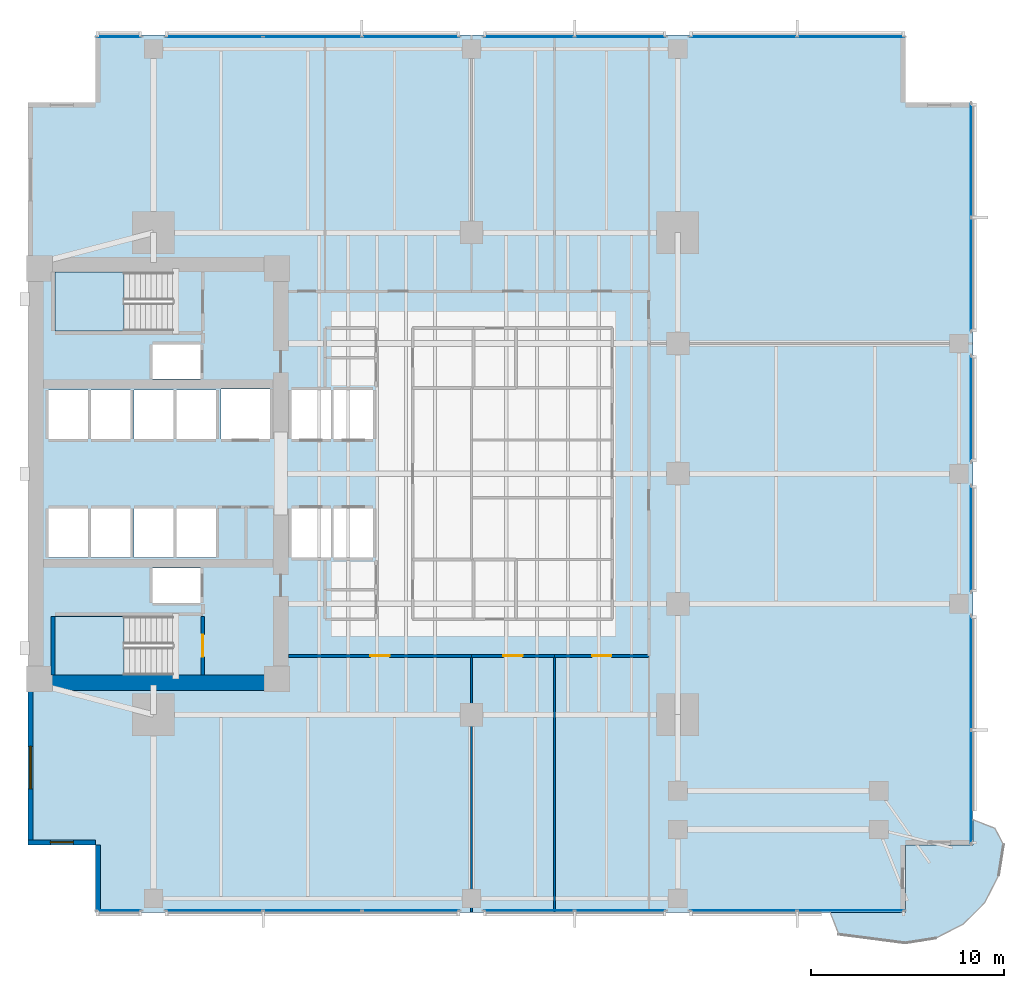
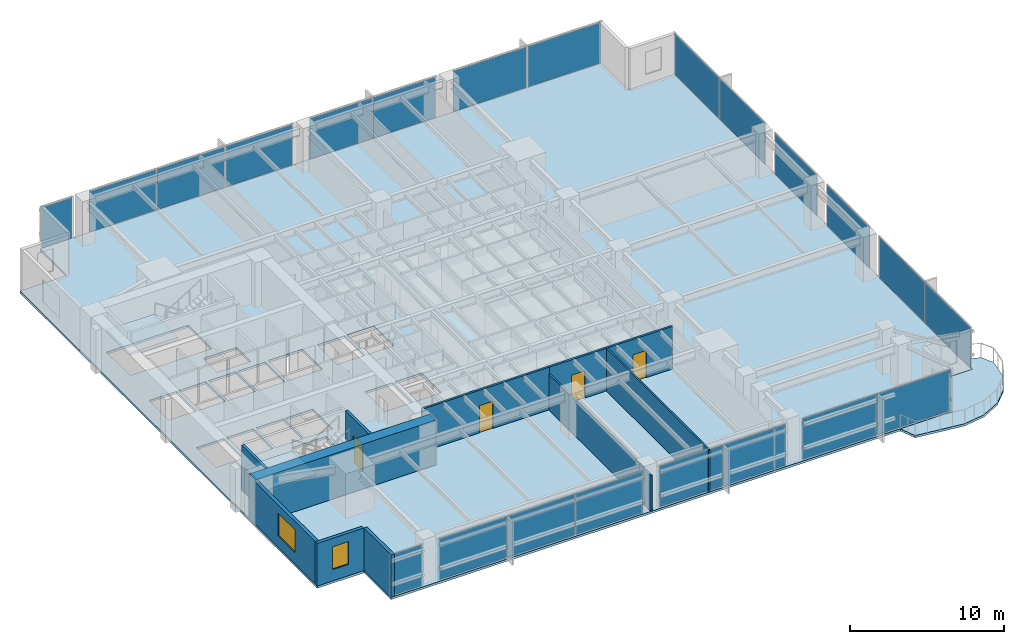
# One storey, part 7 of 15: 22 plates, 11 walls, 4 doors, 4 slabs, 2 windows, 6 openings, 14 elements without a shape of their own.
"""IFC4 building model written with IfcOpenShell, lengths in metres."""

from ifc_helpers import new_model, si_unit, direction, frame, frame_2d, origin, origin_2d, place, context, subcontext, project, spatial, polyline, rectangle, outline, extrude, material, layer, layer_set, type_object, element, fill, aggregate, save


model = new_model("IFC4")

# Units and contexts
model_context = context("Model", 3, precision=1e-05, world=origin(), true_north=direction((0.0, 1.0)))
body_context = subcontext(model_context, "Body", "Model", "MODEL_VIEW")
ifc_project = project(units=[si_unit("LENGTHUNIT", "METRE"), si_unit("AREAUNIT", "SQUARE_METRE"), si_unit("VOLUMEUNIT", "CUBIC_METRE"), si_unit("PLANEANGLEUNIT", "RADIAN"), si_unit("MASSUNIT", "GRAM", prefix="KILO")], contexts=[model_context])

# Site, building, storey
site_placement = place(None, origin())
site = spatial("IfcSite", under=ifc_project, at=site_placement, CompositionType="ELEMENT")
building_placement = place(site_placement, origin())
building = spatial("IfcBuilding", under=site, at=building_placement, Name="Kinhvarn Gate Tower", CompositionType="ELEMENT")
storey_placement = place(building_placement, frame((0.0, 0.0, 71.75)))
storey = spatial("IfcBuildingStorey", under=building, at=storey_placement, Name="L18", CompositionType="ELEMENT", Elevation=71.75)

# Curtain wall, plate
ifc_material_1 = material(Name="Anodised aluminium AW-6063", Category="aluminium")
ifc_layer_1 = layer(ifc_material_1, 0.179931640625)
ifc_layer_set_1 = layer_set([ifc_layer_1], Name="Anodised aluminium AW-6063")
curtain_wall_type = type_object("IfcCurtainWallType", Name="CW-SYS-2", PredefinedType="NOTDEFINED", material=ifc_layer_set_1)
curtain_wall_1_placement = place(storey_placement, origin())
curtain_wall_1 = element("IfcCurtainWall", 1, at=curtain_wall_1_placement, inside=storey, type_object=curtain_wall_type, Name="Curtain Wall CW2 (L18)", PredefinedType="NOTDEFINED")
ifc_material_2 = material(Name="Clear low-e double glazing", Category="glass")
ifc_layer_2 = layer(ifc_material_2, 0.031982421875)
ifc_layer_set_2 = layer_set([ifc_layer_2], Name="Clear low-e double glazing")
plate_type = type_object("IfcPlateType", Name="CW-PNL-VIS", PredefinedType="CURTAIN_PANEL", material=ifc_layer_set_2)
plate_1_placement = place(storey_placement, frame((9.2099609375, 2.590087890625, 0.070068359375), z_axis=(0.0, 0.0, 1.0), x_axis=(1.0, 0.0, 0.0)))
plate_1 = element("IfcPlate", 2, at=plate_1_placement, type_object=plate_type, Name="CW2 panel 1.1", PredefinedType="CURTAIN_PANEL", context=body_context, shape_type="SweptSolid", body=[
    extrude(rectangle(XDim=2.280029296875, YDim=0.031982421875, at=origin_2d()), origin(), (0.0, 0.0, 1.0), 3.22998046875),
])
aggregate(curtain_wall_1, [plate_1])

# Curtain wall, plates
curtain_wall_2_placement = place(storey_placement, origin())
curtain_wall_2 = element("IfcCurtainWall", 3, at=curtain_wall_2_placement, inside=storey, type_object=curtain_wall_type, Name="Curtain Wall CW2 (L18)", PredefinedType="NOTDEFINED")
plate_2_placement = place(storey_placement, frame((14.154052734375, 2.590087890625, 0.070068359375), z_axis=(0.0, 0.0, 1.0), x_axis=(1.0, 0.0, 0.0)))
plate_2 = element("IfcPlate", 4, at=plate_2_placement, type_object=plate_type, Name="CW2 panel 1.1", PredefinedType="CURTAIN_PANEL", context=body_context, shape_type="SweptSolid", body=[
    extrude(rectangle(XDim=5.00830078125, YDim=0.031982421875, at=origin_2d()), origin(), (0.0, 0.0, 1.0), 3.22998046875),
])
plate_3_placement = place(storey_placement, frame((19.25, 2.590087890625, 0.070068359375), z_axis=(0.0, 0.0, 1.0), x_axis=(1.0, 0.0, 0.0)))
plate_3 = element("IfcPlate", 5, at=plate_3_placement, type_object=plate_type, Name="CW2 panel 2.1", PredefinedType="CURTAIN_PANEL", context=body_context, shape_type="SweptSolid", body=[
    extrude(rectangle(XDim=5.043212890625, YDim=0.031982421875, at=origin_2d()), origin(), (0.0, 0.0, 1.0), 3.22998046875),
])
plate_4_placement = place(storey_placement, frame((24.345947265625, 2.590087890625, 0.070068359375), z_axis=(0.0, 0.0, 1.0), x_axis=(1.0, 0.0, 0.0)))
plate_4 = element("IfcPlate", 6, at=plate_4_placement, type_object=plate_type, Name="CW2 panel 3.1", PredefinedType="CURTAIN_PANEL", context=body_context, shape_type="SweptSolid", body=[
    extrude(rectangle(XDim=5.00830078125, YDim=0.031982421875, at=origin_2d()), origin(), (0.0, 0.0, 1.0), 3.22998046875),
])
aggregate(curtain_wall_2, [plate_2, plate_3, plate_4])

curtain_wall_3_placement = place(storey_placement, origin())
curtain_wall_3 = element("IfcCurtainWall", 7, at=curtain_wall_3_placement, inside=storey, type_object=curtain_wall_type, Name="Curtain Wall CW2 (L18)", PredefinedType="NOTDEFINED")
plate_5_placement = place(storey_placement, frame((30.482421875, 2.590087890625, 0.070068359375), z_axis=(0.0, 0.0, 1.0), x_axis=(1.0, 0.0, 0.0)))
plate_5 = element("IfcPlate", 8, at=plate_5_placement, type_object=plate_type, Name="CW2 panel 1.1", PredefinedType="CURTAIN_PANEL", context=body_context, shape_type="SweptSolid", body=[
    extrude(rectangle(XDim=4.6650390625, YDim=0.031982421875, at=origin_2d()), origin(), (0.0, 0.0, 1.0), 3.22998046875),
])
plate_6_placement = place(storey_placement, frame((35.217529296875, 2.590087890625, 0.070068359375), z_axis=(0.0, 0.0, 1.0), x_axis=(1.0, 0.0, 0.0)))
plate_6 = element("IfcPlate", 9, at=plate_6_placement, type_object=plate_type, Name="CW2 panel 2.1", PredefinedType="CURTAIN_PANEL", context=body_context, shape_type="SweptSolid", body=[
    extrude(rectangle(XDim=4.6650390625, YDim=0.031982421875, at=origin_2d()), origin(), (0.0, 0.0, 1.0), 3.22998046875),
])
aggregate(curtain_wall_3, [plate_5, plate_6])

curtain_wall_4_placement = place(storey_placement, origin())
curtain_wall_4 = element("IfcCurtainWall", 10, at=curtain_wall_4_placement, inside=storey, type_object=curtain_wall_type, Name="Curtain Wall CW2 (L18)", PredefinedType="NOTDEFINED")
plate_7_placement = place(storey_placement, frame((41.6025390625, 2.590087890625, 0.070068359375), z_axis=(0.0, 0.0, 1.0), x_axis=(1.0, 0.0, 0.0)))
plate_7 = element("IfcPlate", 11, at=plate_7_placement, type_object=plate_type, Name="CW2 panel 1.1", PredefinedType="CURTAIN_PANEL", context=body_context, shape_type="SweptSolid", body=[
    extrude(rectangle(XDim=5.5048828125, YDim=0.031982421875, at=origin_2d()), origin(), (0.0, 0.0, 1.0), 3.22998046875),
])
plate_8_placement = place(storey_placement, frame((47.177490234375, 2.590087890625, 0.070068359375), z_axis=(0.0, 0.0, 1.0), x_axis=(1.0, 0.0, 0.0)))
plate_8 = element("IfcPlate", 12, at=plate_8_placement, type_object=plate_type, Name="CW2 panel 2.1", PredefinedType="CURTAIN_PANEL", context=body_context, shape_type="SweptSolid", body=[
    extrude(rectangle(XDim=5.5048828125, YDim=0.031982421875, at=origin_2d()), origin(), (0.0, 0.0, 1.0), 3.22998046875),
])
aggregate(curtain_wall_4, [plate_7, plate_8])

curtain_wall_5_placement = place(storey_placement, origin())
curtain_wall_5 = element("IfcCurtainWall", 13, at=curtain_wall_5_placement, inside=storey, type_object=curtain_wall_type, Name="Curtain Wall CW2 (L18)", PredefinedType="NOTDEFINED")
plate_9_placement = place(storey_placement, frame((47.177490234375, 47.909912109375, 0.070068359375), z_axis=(0.0, 0.0, 1.0), x_axis=(-1.0, 0.0, 0.0)))
plate_9 = element("IfcPlate", 14, at=plate_9_placement, type_object=plate_type, Name="CW2 panel 1.1", PredefinedType="CURTAIN_PANEL", context=body_context, shape_type="SweptSolid", body=[
    extrude(rectangle(XDim=5.5048828125, YDim=0.031982421875, at=origin_2d()), origin(), (0.0, 0.0, 1.0), 3.22998046875),
])
plate_10_placement = place(storey_placement, frame((41.6025390625, 47.909912109375, 0.070068359375), z_axis=(0.0, 0.0, 1.0), x_axis=(-1.0, 0.0, 0.0)))
plate_10 = element("IfcPlate", 15, at=plate_10_placement, type_object=plate_type, Name="CW2 panel 2.1", PredefinedType="CURTAIN_PANEL", context=body_context, shape_type="SweptSolid", body=[
    extrude(rectangle(XDim=5.5048828125, YDim=0.031982421875, at=origin_2d()), origin(), (0.0, 0.0, 1.0), 3.22998046875),
])
aggregate(curtain_wall_5, [plate_9, plate_10])

curtain_wall_6_placement = place(storey_placement, origin())
curtain_wall_6 = element("IfcCurtainWall", 16, at=curtain_wall_6_placement, inside=storey, type_object=curtain_wall_type, Name="Curtain Wall CW2 (L18)", PredefinedType="NOTDEFINED")
plate_11_placement = place(storey_placement, frame((35.217529296875, 47.909912109375, 0.070068359375), z_axis=(0.0, 0.0, 1.0), x_axis=(-1.0, 0.0, 0.0)))
plate_11 = element("IfcPlate", 17, at=plate_11_placement, type_object=plate_type, Name="CW2 panel 1.1", PredefinedType="CURTAIN_PANEL", context=body_context, shape_type="SweptSolid", body=[
    extrude(rectangle(XDim=4.6650390625, YDim=0.031982421875, at=origin_2d()), origin(), (0.0, 0.0, 1.0), 3.22998046875),
])
plate_12_placement = place(storey_placement, frame((30.482421875, 47.909912109375, 0.070068359375), z_axis=(0.0, 0.0, 1.0), x_axis=(-1.0, 0.0, 0.0)))
plate_12 = element("IfcPlate", 18, at=plate_12_placement, type_object=plate_type, Name="CW2 panel 2.1", PredefinedType="CURTAIN_PANEL", context=body_context, shape_type="SweptSolid", body=[
    extrude(rectangle(XDim=4.6650390625, YDim=0.031982421875, at=origin_2d()), origin(), (0.0, 0.0, 1.0), 3.22998046875),
])
aggregate(curtain_wall_6, [plate_11, plate_12])

curtain_wall_7_placement = place(storey_placement, origin())
curtain_wall_7 = element("IfcCurtainWall", 19, at=curtain_wall_7_placement, inside=storey, type_object=curtain_wall_type, Name="Curtain Wall CW2 (L18)", PredefinedType="NOTDEFINED")
plate_13_placement = place(storey_placement, frame((24.345947265625, 47.909912109375, 0.070068359375), z_axis=(0.0, 0.0, 1.0), x_axis=(-1.0, 0.0, 0.0)))
plate_13 = element("IfcPlate", 20, at=plate_13_placement, type_object=plate_type, Name="CW2 panel 1.1", PredefinedType="CURTAIN_PANEL", context=body_context, shape_type="SweptSolid", body=[
    extrude(rectangle(XDim=5.00830078125, YDim=0.031982421875, at=origin_2d()), origin(), (0.0, 0.0, 1.0), 3.22998046875),
])
plate_14_placement = place(storey_placement, frame((19.25, 47.909912109375, 0.070068359375), z_axis=(0.0, 0.0, 1.0), x_axis=(-1.0, 0.0, 0.0)))
plate_14 = element("IfcPlate", 21, at=plate_14_placement, type_object=plate_type, Name="CW2 panel 2.1", PredefinedType="CURTAIN_PANEL", context=body_context, shape_type="SweptSolid", body=[
    extrude(rectangle(XDim=5.043212890625, YDim=0.031982421875, at=origin_2d()), origin(), (0.0, 0.0, 1.0), 3.22998046875),
])
plate_15_placement = place(storey_placement, frame((14.154052734375, 47.909912109375, 0.070068359375), z_axis=(0.0, 0.0, 1.0), x_axis=(-1.0, 0.0, 0.0)))
plate_15 = element("IfcPlate", 22, at=plate_15_placement, type_object=plate_type, Name="CW2 panel 3.1", PredefinedType="CURTAIN_PANEL", context=body_context, shape_type="SweptSolid", body=[
    extrude(rectangle(XDim=5.00830078125, YDim=0.031982421875, at=origin_2d()), origin(), (0.0, 0.0, 1.0), 3.22998046875),
])
aggregate(curtain_wall_7, [plate_13, plate_14, plate_15])

# Curtain wall, plate
curtain_wall_8_placement = place(storey_placement, origin())
curtain_wall_8 = element("IfcCurtainWall", 23, at=curtain_wall_8_placement, inside=storey, type_object=curtain_wall_type, Name="Curtain Wall CW2 (L18)", PredefinedType="NOTDEFINED")
plate_16_placement = place(storey_placement, frame((9.2099609375, 47.909912109375, 0.070068359375), z_axis=(0.0, 0.0, 1.0), x_axis=(-1.0, 0.0, 0.0)))
plate_16 = element("IfcPlate", 24, at=plate_16_placement, type_object=plate_type, Name="CW2 panel 1.1", PredefinedType="CURTAIN_PANEL", context=body_context, shape_type="SweptSolid", body=[
    extrude(rectangle(XDim=2.280029296875, YDim=0.031982421875, at=origin_2d()), origin(), (0.0, 0.0, 1.0), 3.22998046875),
])
aggregate(curtain_wall_8, [plate_16])

# Curtain wall, plates
curtain_wall_9_placement = place(storey_placement, origin())
curtain_wall_9 = element("IfcCurtainWall", 25, at=curtain_wall_9_placement, inside=storey, type_object=curtain_wall_type, Name="Curtain Wall CW2 (L18)", PredefinedType="NOTDEFINED")
plate_17_placement = place(storey_placement, frame((53.409912109375, 8.99755859375, 0.070068359375), z_axis=(0.0, 0.0, 1.0), x_axis=(0.0, 1.0, 0.0)))
plate_17 = element("IfcPlate", 26, at=plate_17_placement, type_object=plate_type, Name="CW2 panel 1.1", PredefinedType="CURTAIN_PANEL", context=body_context, shape_type="SweptSolid", body=[
    extrude(rectangle(XDim=5.85498046875, YDim=0.031982421875, at=origin_2d()), origin(), (0.0, 0.0, 1.0), 3.22998046875),
])
plate_18_placement = place(storey_placement, frame((53.409912109375, 14.922607421875, 0.070068359375), z_axis=(0.0, 0.0, 1.0), x_axis=(0.0, 1.0, 0.0)))
plate_18 = element("IfcPlate", 27, at=plate_18_placement, type_object=plate_type, Name="CW2 panel 2.1", PredefinedType="CURTAIN_PANEL", context=body_context, shape_type="SweptSolid", body=[
    extrude(rectangle(XDim=5.85498046875, YDim=0.031982421875, at=origin_2d()), origin(), (0.0, 0.0, 1.0), 3.22998046875),
])
aggregate(curtain_wall_9, [plate_17, plate_18])

# Curtain wall, plate
curtain_wall_10_placement = place(storey_placement, origin())
curtain_wall_10 = element("IfcCurtainWall", 28, at=curtain_wall_10_placement, inside=storey, type_object=curtain_wall_type, Name="Curtain Wall CW2 (L18)", PredefinedType="NOTDEFINED")
plate_19_placement = place(storey_placement, frame((53.409912109375, 21.875, 0.070068359375), z_axis=(0.0, 0.0, 1.0), x_axis=(0.0, 1.0, 0.0)))
plate_19 = element("IfcPlate", 29, at=plate_19_placement, type_object=plate_type, Name="CW2 panel 1.1", PredefinedType="CURTAIN_PANEL", context=body_context, shape_type="SweptSolid", body=[
    extrude(rectangle(XDim=5.449951171875, YDim=0.031982421875, at=origin_2d()), origin(), (0.0, 0.0, 1.0), 3.22998046875),
])
aggregate(curtain_wall_10, [plate_19])

curtain_wall_11_placement = place(storey_placement, origin())
curtain_wall_11 = element("IfcCurtainWall", 30, at=curtain_wall_11_placement, inside=storey, type_object=curtain_wall_type, Name="Curtain Wall CW2 (L18)", PredefinedType="NOTDEFINED")
plate_20_placement = place(storey_placement, frame((53.409912109375, 28.625, 0.070068359375), z_axis=(0.0, 0.0, 1.0), x_axis=(0.0, 1.0, 0.0)))
plate_20 = element("IfcPlate", 31, at=plate_20_placement, type_object=plate_type, Name="CW2 panel 1.1", PredefinedType="CURTAIN_PANEL", context=body_context, shape_type="SweptSolid", body=[
    extrude(rectangle(XDim=5.449951171875, YDim=0.031982421875, at=origin_2d()), origin(), (0.0, 0.0, 1.0), 3.22998046875),
])
aggregate(curtain_wall_11, [plate_20])

# Curtain wall, plates
curtain_wall_12_placement = place(storey_placement, origin())
curtain_wall_12 = element("IfcCurtainWall", 32, at=curtain_wall_12_placement, inside=storey, type_object=curtain_wall_type, Name="Curtain Wall CW2 (L18)", PredefinedType="NOTDEFINED")
plate_21_placement = place(storey_placement, frame((53.409912109375, 35.577392578125, 0.070068359375), z_axis=(0.0, 0.0, 1.0), x_axis=(0.0, 1.0, 0.0)))
plate_21 = element("IfcPlate", 33, at=plate_21_placement, type_object=plate_type, Name="CW2 panel 1.1", PredefinedType="CURTAIN_PANEL", context=body_context, shape_type="SweptSolid", body=[
    extrude(rectangle(XDim=5.85498046875, YDim=0.031982421875, at=origin_2d()), origin(), (0.0, 0.0, 1.0), 3.22998046875),
])
plate_22_placement = place(storey_placement, frame((53.409912109375, 41.50244140625, 0.070068359375), z_axis=(0.0, 0.0, 1.0), x_axis=(0.0, 1.0, 0.0)))
plate_22 = element("IfcPlate", 34, at=plate_22_placement, type_object=plate_type, Name="CW2 panel 2.1", PredefinedType="CURTAIN_PANEL", context=body_context, shape_type="SweptSolid", body=[
    extrude(rectangle(XDim=5.85498046875, YDim=0.031982421875, at=origin_2d()), origin(), (0.0, 0.0, 1.0), 3.22998046875),
])
aggregate(curtain_wall_12, [plate_21, plate_22])

# Slabs
ifc_material_3 = material(Name="Precast white architectural concrete C40/50", Category="concrete")
ifc_layer_3 = layer(ifc_material_3, 0.179931640625)
ifc_layer_set_3 = layer_set([ifc_layer_3], Name="Precast white architectural concrete C40/50")
slab_type_1 = type_object("IfcSlabType", Name="SLB-BAL-180", PredefinedType="FLOOR", material=ifc_layer_set_3)
slab_1_placement = place(storey_placement, frame((0.0, 0.0, -0.179931640625)))
element("IfcSlab", 35, at=slab_1_placement, inside=storey, type_object=slab_type_1, Name="S-Carve Curved Terrace Balcony Slab L18 (SE)", PredefinedType="FLOOR", context=body_context, shape_type="SweptSolid", body=[
    extrude(outline(polyline([(46.09912109375, 2.5), (46.549072265625, 1.353759765625), (50.0, 0.907958984375), (51.573486328125, 1.1572265625), (52.992919921875, 1.880615234375), (54.119384765625, 3.007080078125), (54.8427734375, 4.426513671875), (55.092041015625, 6.0), (54.646240234375, 6.85595703125), (53.5, 7.305908203125), (53.5, 6.0), (50.0, 6.0), (50.0, 2.5), (46.09912109375, 2.5)])), origin(), (0.0, 0.0, 1.0), 0.179931640625),
])
ifc_material_4 = material(Name="Concrete C40/50", Category="concrete")
ifc_layer_4 = layer(ifc_material_4, 0.179931640625)
ifc_layer_set_4 = layer_set([ifc_layer_4], Name="Concrete C40/50")
slab_type_2 = type_object("IfcSlabType", Name="SLB-FLR-180", PredefinedType="FLOOR", material=ifc_layer_set_4)
slab_2_placement = place(storey_placement, frame((0.0, 0.0, -0.179931640625)))
element("IfcSlab", 36, at=slab_2_placement, inside=storey, type_object=slab_type_2, Name="Suspended Floor Slab L18", PredefinedType="FLOOR", context=body_context, shape_type="SweptSolid", body=[
    extrude(outline(polyline([(8.0, 2.5), (50.0, 2.5), (50.0, 6.0), (53.5, 6.0), (53.5, 44.5), (50.0, 44.5), (50.0, 48.0), (8.0, 48.0), (8.0, 44.5), (4.5, 44.5), (4.5, 6.0), (8.0, 6.0), (8.0, 2.5)]), holes=[polyline([(5.89990234375, 14.800048828125), (12.0, 14.800048828125), (12.0, 17.85009765625), (5.89990234375, 17.85009765625), (5.89990234375, 14.800048828125)]), polyline([(5.89990234375, 32.64990234375), (12.0, 32.64990234375), (12.0, 35.699951171875), (5.89990234375, 35.699951171875), (5.89990234375, 32.64990234375)]), polyline([(18.14990234375, 20.89990234375), (20.199951171875, 20.89990234375), (20.199951171875, 23.449951171875), (18.14990234375, 23.449951171875), (18.14990234375, 20.89990234375)]), polyline([(20.35009765625, 20.89990234375), (22.39990234375, 20.89990234375), (22.39990234375, 23.449951171875), (20.35009765625, 23.449951171875), (20.35009765625, 20.89990234375)]), polyline([(18.14990234375, 27.050048828125), (20.199951171875, 27.050048828125), (20.199951171875, 29.60009765625), (18.14990234375, 29.60009765625), (18.14990234375, 27.050048828125)]), polyline([(20.35009765625, 27.050048828125), (22.39990234375, 27.050048828125), (22.39990234375, 29.60009765625), (20.35009765625, 29.60009765625), (20.35009765625, 27.050048828125)]), polyline([(5.550048828125, 20.89990234375), (7.60009765625, 20.89990234375), (7.60009765625, 23.449951171875), (5.550048828125, 23.449951171875), (5.550048828125, 20.89990234375)]), polyline([(7.75, 20.89990234375), (9.800048828125, 20.89990234375), (9.800048828125, 23.449951171875), (7.75, 23.449951171875), (7.75, 20.89990234375)]), polyline([(5.550048828125, 27.050048828125), (7.60009765625, 27.050048828125), (7.60009765625, 29.60009765625), (5.550048828125, 29.60009765625), (5.550048828125, 27.050048828125)]), polyline([(7.75, 27.050048828125), (9.800048828125, 27.050048828125), (9.800048828125, 29.60009765625), (7.75, 29.60009765625), (7.75, 27.050048828125)]), polyline([(10.0, 20.89990234375), (12.050048828125, 20.89990234375), (12.050048828125, 23.449951171875), (10.0, 23.449951171875), (10.0, 20.89990234375)]), polyline([(12.199951171875, 20.89990234375), (14.25, 20.89990234375), (14.25, 23.449951171875), (12.199951171875, 23.449951171875), (12.199951171875, 20.89990234375)]), polyline([(10.0, 27.050048828125), (12.050048828125, 27.050048828125), (12.050048828125, 29.60009765625), (10.0, 29.60009765625), (10.0, 27.050048828125)]), polyline([(12.199951171875, 27.050048828125), (14.25, 27.050048828125), (14.25, 29.60009765625), (12.199951171875, 29.60009765625), (12.199951171875, 27.050048828125)]), polyline([(14.5, 27.050048828125), (17.050048828125, 27.050048828125), (17.050048828125, 29.64990234375), (14.5, 29.64990234375), (14.5, 27.050048828125)]), polyline([(10.949951171875, 18.550048828125), (13.449951171875, 18.550048828125), (13.449951171875, 20.35009765625), (10.949951171875, 20.35009765625), (10.949951171875, 18.550048828125)]), polyline([(10.949951171875, 30.14990234375), (13.449951171875, 30.14990234375), (13.449951171875, 31.949951171875), (10.949951171875, 31.949951171875), (10.949951171875, 30.14990234375)])]), origin(), (0.0, 0.0, 1.0), 0.179931640625),
])

# Stair, slab
stair_type = type_object("IfcStairType", Name="STR-DLG-177", PredefinedType="HALF_TURN_STAIR", material=ifc_material_4)
stair_1_placement = place(storey_placement, origin())
stair_1 = element("IfcStair", 37, at=stair_1_placement, inside=storey, type_object=stair_type, Name="L18 Core Smokeproof Exit Stair ST1", PredefinedType="HALF_TURN_STAIR")
ifc_layer_5 = layer(ifc_material_4, 0.199951171875)
ifc_layer_set_5 = layer_set([ifc_layer_5], Name="Concrete C40/50")
slab_type_3 = type_object("IfcSlabType", Name="SLB-ST-LND", PredefinedType="LANDING", material=ifc_layer_set_5)
slab_3_placement = place(storey_placement, frame((0.0, 0.0, 1.574951171875)))
slab_3 = element("IfcSlab", 38, at=slab_3_placement, type_object=slab_type_3, Name="ST1 landing 1", PredefinedType="LANDING", context=body_context, shape_type="SweptSolid", body=[
    extrude(outline(polyline([(9.47998046875, 17.85009765625), (5.89990234375, 17.85009765625), (5.89990234375, 14.800048828125), (9.47998046875, 14.800048828125), (9.47998046875, 17.85009765625)])), origin(), (0.0, 0.0, 1.0), 0.199951171875),
])
aggregate(stair_1, [slab_3])

stair_2_placement = place(storey_placement, origin())
stair_2 = element("IfcStair", 39, at=stair_2_placement, inside=storey, type_object=stair_type, Name="L18 Core Smokeproof Exit Stair ST2", PredefinedType="HALF_TURN_STAIR")
slab_4_placement = place(storey_placement, frame((0.0, 0.0, 1.574951171875)))
slab_4 = element("IfcSlab", 40, at=slab_4_placement, type_object=slab_type_3, Name="ST2 landing 1", PredefinedType="LANDING", context=body_context, shape_type="SweptSolid", body=[
    extrude(outline(polyline([(9.47998046875, 35.699951171875), (5.89990234375, 35.699951171875), (5.89990234375, 32.64990234375), (9.47998046875, 32.64990234375), (9.47998046875, 35.699951171875)])), origin(), (0.0, 0.0, 1.0), 0.199951171875),
])
aggregate(stair_2, [slab_4])

# Wall
ifc_material_5 = material(Name="Concrete C70/85", Category="concrete")
ifc_layer_6 = layer(ifc_material_5, 0.800048828125)
ifc_layer_set_6 = layer_set([ifc_layer_6], Name="Concrete C70/85")
wall_type_1 = type_object("IfcWallType", Name="WL-CORE-800", PredefinedType="SHEAR", material=ifc_layer_set_6)
wall_1_placement = place(storey_placement, frame((4.5, 14.39990234375, 0.0), z_axis=(0.0, 0.0, 1.0), x_axis=(1.0, 0.0, 0.0)))
element("IfcWall", 41, at=wall_1_placement, inside=storey, type_object=wall_type_1, Name="Core South Shear Wall L18 800 mm", PredefinedType="SHEAR", context=body_context, shape_type="SweptSolid", body=[
    extrude(rectangle(XDim=13.5, YDim=0.800048828125, at=frame_2d((6.75, 0.0))), origin(), (0.0, 0.0, 1.0), 3.550048828125),
])

# Wall, opening, window
ifc_material_6 = material(Name="Fired architectural terracotta", Category="masonry")
ifc_layer_7 = layer(ifc_material_6, 0.25)
ifc_layer_set_7 = layer_set([ifc_layer_7], Name="Fired architectural terracotta")
wall_type_2 = type_object("IfcWallType", Name="WL-EXT-250", PredefinedType="SOLIDWALL", material=ifc_layer_set_7)
wall_2_placement = place(storey_placement, frame((4.625, 14.0, 0.0), z_axis=(0.0, 0.0, 1.0), x_axis=(0.0, -1.0, 0.0)))
wall_2 = element("IfcWall", 42, at=wall_2_placement, inside=storey, type_object=wall_type_2, Name="Exterior Solidwall Wall EW-250 (L18 West-South)", PredefinedType="SOLIDWALL", context=body_context, shape_type="SweptSolid", body=[
    extrude(rectangle(XDim=8.0, YDim=0.25, at=frame_2d((4.0, 0.0))), origin(), (0.0, 0.0, 1.0), 3.3701171875),
])
opening_1_placement = place(wall_2_placement, frame((2.89990234375, 0.0, 0.89990234375)))
opening_1 = element("IfcOpeningElement", 43, at=opening_1_placement, cuts=wall_2, Name="Opening WN-01", PredefinedType="OPENING", context=body_context, shape_type="SweptSolid", body=[
    extrude(rectangle(XDim=2.199951171875, YDim=1.800048828125, at=frame_2d((1.10009765625, 0.89990234375))), frame((0.0, 0.135009765625, 0.0), z_axis=(0.0, -1.0, 0.0), x_axis=(1.0, 0.0, 0.0)), (0.0, 0.0, 1.0), 0.27001953125),
])
window_type_1 = type_object("IfcWindowType", Name="WIN-RIB-2200", PartitioningType="SINGLE_PANEL", PredefinedType="WINDOW", material=ifc_material_2)
window_1_placement = place(opening_1_placement, origin())
window_1 = element("IfcWindow", 44, at=window_1_placement, inside=storey, type_object=window_type_1, Name="West Flank Double-Glazed Ribbon Window 2200x1800 mm (L18)", OverallHeight=1.800048828125, OverallWidth=2.199951171875, PartitioningType="SINGLE_PANEL", PredefinedType="WINDOW", context=body_context, shape_type="SweptSolid", body=[
    extrude(rectangle(XDim=2.199951171875, YDim=1.800048828125, at=frame_2d((1.10009765625, 0.89990234375))), frame((0.0, 0.030029296875, 0.0), z_axis=(0.0, -1.0, 0.0), x_axis=(1.0, 0.0, 0.0)), (0.0, 0.0, 1.0), 0.06005859375),
])
fill(opening_1, window_1)

wall_3_placement = place(storey_placement, frame((4.5, 6.125, 0.0), z_axis=(0.0, 0.0, 1.0), x_axis=(1.0, 0.0, 0.0)))
wall_3 = element("IfcWall", 45, at=wall_3_placement, inside=storey, type_object=wall_type_2, Name="Exterior Solidwall Wall EW-250 (L18 SW-Notch-1)", PredefinedType="SOLIDWALL", context=body_context, shape_type="SweptSolid", body=[
    extrude(rectangle(XDim=3.5, YDim=0.25, at=frame_2d((1.75, 0.0))), origin(), (0.0, 0.0, 1.0), 3.3701171875),
])
opening_2_placement = place(wall_3_placement, frame((1.14990234375, 0.0, 0.89990234375)))
opening_2 = element("IfcOpeningElement", 46, at=opening_2_placement, cuts=wall_3, Name="Opening WN-02", PredefinedType="OPENING", context=body_context, shape_type="SweptSolid", body=[
    extrude(rectangle(XDim=1.199951171875, YDim=1.800048828125, at=frame_2d((0.60009765625, 0.89990234375))), frame((0.0, 0.135009765625, 0.0), z_axis=(0.0, -1.0, 0.0), x_axis=(1.0, 0.0, 0.0)), (0.0, 0.0, 1.0), 0.27001953125),
])
window_type_2 = type_object("IfcWindowType", Name="WIN-NTC-1200", PartitioningType="SINGLE_PANEL", PredefinedType="WINDOW", material=ifc_material_2)
window_2_placement = place(opening_2_placement, origin())
window_2 = element("IfcWindow", 47, at=window_2_placement, inside=storey, type_object=window_type_2, Name="Recessed Corner Notch Punched Window 1200x1800 mm (L18)", OverallHeight=1.800048828125, OverallWidth=1.199951171875, PartitioningType="SINGLE_PANEL", PredefinedType="WINDOW", context=body_context, shape_type="SweptSolid", body=[
    extrude(rectangle(XDim=1.199951171875, YDim=1.800048828125, at=frame_2d((0.60009765625, 0.89990234375))), frame((0.0, 0.030029296875, 0.0), z_axis=(0.0, -1.0, 0.0), x_axis=(1.0, 0.0, 0.0)), (0.0, 0.0, 1.0), 0.06005859375),
])
fill(opening_2, window_2)

# Walls
wall_4_placement = place(storey_placement, frame((8.125, 6.0, 0.0), z_axis=(0.0, 0.0, 1.0), x_axis=(0.0, -1.0, 0.0)))
element("IfcWall", 48, at=wall_4_placement, inside=storey, type_object=wall_type_2, Name="Exterior Solidwall Wall EW-250 (L18 SW-Notch-2)", PredefinedType="SOLIDWALL", context=body_context, shape_type="SweptSolid", body=[
    extrude(rectangle(XDim=3.5, YDim=0.25, at=frame_2d((1.75, 0.0))), origin(), (0.0, 0.0, 1.0), 3.3701171875),
])
ifc_material_7 = material(Name="Gypsum acoustic partition board")
ifc_layer_8 = layer(ifc_material_7, 0.1201171875)
ifc_layer_set_8 = layer_set([ifc_layer_8], Name="Gypsum acoustic partition board")
wall_type_3 = type_object("IfcWallType", Name="WL-PRT-120", PredefinedType="PARTITIONING", material=ifc_layer_set_8)
wall_5_placement = place(storey_placement, frame((27.5, 2.510009765625, 0.0), z_axis=(0.0, 0.0, 1.0), x_axis=(0.0, 1.0, 0.0)))
element("IfcWall", 49, at=wall_5_placement, inside=storey, type_object=wall_type_3, Name="Interior Partition PW-120 (L18)", PredefinedType="PARTITIONING", context=body_context, shape_type="SweptSolid", body=[
    extrude(rectangle(XDim=13.2900390625, YDim=0.1201171875, at=frame_2d((6.64501953125, 0.0))), origin(), (0.0, 0.0, 1.0), 2.820068359375),
])
wall_6_placement = place(storey_placement, frame((31.800048828125, 2.510009765625, 0.0), z_axis=(0.0, 0.0, 1.0), x_axis=(0.0, 1.0, 0.0)))
element("IfcWall", 50, at=wall_6_placement, inside=storey, type_object=wall_type_3, Name="Interior Partition PW-120 (L18)", PredefinedType="PARTITIONING", context=body_context, shape_type="SweptSolid", body=[
    extrude(rectangle(XDim=13.2900390625, YDim=0.1201171875, at=frame_2d((6.64501953125, 0.0))), origin(), (0.0, 0.0, 1.0), 3.3701171875),
])

# Wall, opening, door
ifc_layer_9 = layer(ifc_material_7, 0.14990234375)
ifc_layer_set_9 = layer_set([ifc_layer_9], Name="Gypsum acoustic partition board")
wall_type_4 = type_object("IfcWallType", Name="WL-PRT-150F", PredefinedType="PARTITIONING", material=ifc_layer_set_9)
wall_7_placement = place(storey_placement, frame((18.0, 15.800048828125, 0.0), z_axis=(0.0, 0.0, 1.0), x_axis=(1.0, 0.0, 0.0)))
wall_7 = element("IfcWall", 51, at=wall_7_placement, inside=storey, type_object=wall_type_4, Name="Interior Partition PW-150F (L18)", PredefinedType="PARTITIONING", context=body_context, shape_type="SweptSolid", body=[
    extrude(rectangle(XDim=9.5, YDim=0.14990234375, at=frame_2d((4.75, 0.0))), origin(), (0.0, 0.0, 1.0), 3.3701171875),
])
opening_3_placement = place(wall_7_placement, frame((4.25, 0.0, 0.0)))
opening_3 = element("IfcOpeningElement", 52, at=opening_3_placement, cuts=wall_7, Name="Opening ID-02", PredefinedType="OPENING", context=body_context, shape_type="SweptSolid", body=[
    extrude(rectangle(XDim=1.0, YDim=2.14990234375, at=frame_2d((0.5, 1.074951171875))), frame((0.0, 0.0849609375, 0.0), z_axis=(0.0, -1.0, 0.0), x_axis=(1.0, 0.0, 0.0)), (0.0, 0.0, 1.0), 0.169921875),
])
door_type_1 = type_object("IfcDoorType", Name="DR-INT-1000", OperationType="NOTDEFINED", PredefinedType="DOOR", material=ifc_material_1)
door_1_placement = place(opening_3_placement, origin())
door_1 = element("IfcDoor", 53, at=door_1_placement, inside=storey, type_object=door_type_1, Name="Standard Office & Meeting Room Door 1000x2150 mm (L18)", OperationType="SINGLE_SWING_LEFT", OverallHeight=2.14990234375, OverallWidth=1.0, PredefinedType="DOOR", context=body_context, shape_type="SweptSolid", body=[
    extrude(rectangle(XDim=1.0, YDim=2.14990234375, at=frame_2d((0.5, 1.074951171875))), frame((0.0, 0.02490234375, 0.0), z_axis=(0.0, -1.0, 0.0), x_axis=(1.0, 0.0, 0.0)), (0.0, 0.0, 1.0), 0.050048828125),
])
fill(opening_3, door_1)

wall_8_placement = place(storey_placement, frame((27.5, 15.800048828125, 0.0), z_axis=(0.0, 0.0, 1.0), x_axis=(1.0, 0.0, 0.0)))
wall_8 = element("IfcWall", 54, at=wall_8_placement, inside=storey, type_object=wall_type_4, Name="Interior Partition PW-150F (L18)", PredefinedType="PARTITIONING", context=body_context, shape_type="SweptSolid", body=[
    extrude(rectangle(XDim=4.300048828125, YDim=0.14990234375, at=frame_2d((2.14990234375, 0.0))), origin(), (0.0, 0.0, 1.0), 3.3701171875),
])
opening_4_placement = place(wall_8_placement, frame((1.64990234375, 0.0, 0.0)))
opening_4 = element("IfcOpeningElement", 55, at=opening_4_placement, cuts=wall_8, Name="Opening ID-02", PredefinedType="OPENING", context=body_context, shape_type="SweptSolid", body=[
    extrude(rectangle(XDim=1.0, YDim=2.14990234375, at=frame_2d((0.5, 1.074951171875))), frame((0.0, 0.0849609375, 0.0), z_axis=(0.0, -1.0, 0.0), x_axis=(1.0, 0.0, 0.0)), (0.0, 0.0, 1.0), 0.169921875),
])
door_2_placement = place(opening_4_placement, origin())
door_2 = element("IfcDoor", 56, at=door_2_placement, inside=storey, type_object=door_type_1, Name="Standard Office & Meeting Room Door 1000x2150 mm (L18)", OperationType="SINGLE_SWING_RIGHT", OverallHeight=2.14990234375, OverallWidth=1.0, PredefinedType="DOOR", context=body_context, shape_type="SweptSolid", body=[
    extrude(rectangle(XDim=1.0, YDim=2.14990234375, at=frame_2d((0.5, 1.074951171875))), frame((0.0, 0.02490234375, 0.0), z_axis=(0.0, -1.0, 0.0), x_axis=(1.0, 0.0, 0.0)), (0.0, 0.0, 1.0), 0.050048828125),
])
fill(opening_4, door_2)

wall_9_placement = place(storey_placement, frame((31.800048828125, 15.800048828125, 0.0), z_axis=(0.0, 0.0, 1.0), x_axis=(1.0, 0.0, 0.0)))
wall_9 = element("IfcWall", 57, at=wall_9_placement, inside=storey, type_object=wall_type_4, Name="Interior Partition PW-150F (L18)", PredefinedType="PARTITIONING", context=body_context, shape_type="SweptSolid", body=[
    extrude(rectangle(XDim=4.89990234375, YDim=0.14990234375, at=frame_2d((2.449951171875, 0.0))), origin(), (0.0, 0.0, 1.0), 3.3701171875),
])
opening_5_placement = place(wall_9_placement, frame((1.949951171875, 0.0, 0.0)))
opening_5 = element("IfcOpeningElement", 58, at=opening_5_placement, cuts=wall_9, Name="Opening ID-02", PredefinedType="OPENING", context=body_context, shape_type="SweptSolid", body=[
    extrude(rectangle(XDim=1.0, YDim=2.14990234375, at=frame_2d((0.5, 1.074951171875))), frame((0.0, 0.0849609375, 0.0), z_axis=(0.0, -1.0, 0.0), x_axis=(1.0, 0.0, 0.0)), (0.0, 0.0, 1.0), 0.169921875),
])
door_3_placement = place(opening_5_placement, origin())
door_3 = element("IfcDoor", 59, at=door_3_placement, inside=storey, type_object=door_type_1, Name="Standard Office & Meeting Room Door 1000x2150 mm (L18)", OperationType="SINGLE_SWING_LEFT", OverallHeight=2.14990234375, OverallWidth=1.0, PredefinedType="DOOR", context=body_context, shape_type="SweptSolid", body=[
    extrude(rectangle(XDim=1.0, YDim=2.14990234375, at=frame_2d((0.5, 1.074951171875))), frame((0.0, 0.02490234375, 0.0), z_axis=(0.0, -1.0, 0.0), x_axis=(1.0, 0.0, 0.0)), (0.0, 0.0, 1.0), 0.050048828125),
])
fill(opening_5, door_3)

# Wall
ifc_layer_10 = layer(ifc_material_4, 0.199951171875)
ifc_layer_set_10 = layer_set([ifc_layer_10], Name="Concrete C40/50")
wall_type_5 = type_object("IfcWallType", Name="WL-SHF-200", PredefinedType="SOLIDWALL", material=ifc_layer_set_10)
wall_10_placement = place(storey_placement, frame((5.7900390625, 14.800048828125, 0.0), z_axis=(0.0, 0.0, 1.0), x_axis=(0.0, 1.0, 0.0)))
element("IfcWall", 60, at=wall_10_placement, inside=storey, type_object=wall_type_5, Name="Stair ST1 West Shaft Wall (L18)", PredefinedType="SOLIDWALL", context=body_context, shape_type="SweptSolid", body=[
    extrude(rectangle(XDim=3.050048828125, YDim=0.199951171875, at=frame_2d((1.52490234375, 0.0))), origin(), (0.0, 0.0, 1.0), 3.550048828125),
])

# Wall, opening, door
wall_11_placement = place(storey_placement, frame((13.56005859375, 14.800048828125, 0.0), z_axis=(0.0, 0.0, 1.0), x_axis=(0.0, 1.0, 0.0)))
wall_11 = element("IfcWall", 61, at=wall_11_placement, inside=storey, type_object=wall_type_5, Name="Stair ST1 East Entry Wall (L18)", PredefinedType="SOLIDWALL", context=body_context, shape_type="SweptSolid", body=[
    extrude(rectangle(XDim=3.050048828125, YDim=0.199951171875, at=frame_2d((1.52490234375, 0.0))), origin(), (0.0, 0.0, 1.0), 3.550048828125),
])
opening_6_placement = place(wall_11_placement, frame((0.949951171875, 0.0, 0.0)))
opening_6 = element("IfcOpeningElement", 62, at=opening_6_placement, cuts=wall_11, Name="Opening FD-01", PredefinedType="OPENING", context=body_context, shape_type="SweptSolid", body=[
    extrude(rectangle(XDim=1.14990234375, YDim=2.14990234375, at=frame_2d((0.574951171875, 1.074951171875))), frame((0.0, 0.10986328125, 0.0), z_axis=(0.0, -1.0, 0.0), x_axis=(1.0, 0.0, 0.0)), (0.0, 0.0, 1.0), 0.219970703125),
])
door_type_2 = type_object("IfcDoorType", Name="DR-ST-1150", OperationType="NOTDEFINED", PredefinedType="DOOR", material=ifc_material_1)
door_4_placement = place(opening_6_placement, origin())
door_4 = element("IfcDoor", 63, at=door_4_placement, inside=storey, type_object=door_type_2, Name="Exit Stair ST1 Fire Door (L18)", OperationType="SINGLE_SWING_RIGHT", OverallHeight=2.14990234375, OverallWidth=1.14990234375, PredefinedType="DOOR", context=body_context, shape_type="SweptSolid", body=[
    extrude(rectangle(XDim=1.14990234375, YDim=2.14990234375, at=frame_2d((0.574951171875, 1.074951171875))), frame((0.0, 0.02490234375, 0.0), z_axis=(0.0, -1.0, 0.0), x_axis=(1.0, 0.0, 0.0)), (0.0, 0.0, 1.0), 0.050048828125),
])
fill(opening_6, door_4)

save(model, "model.ifc")
